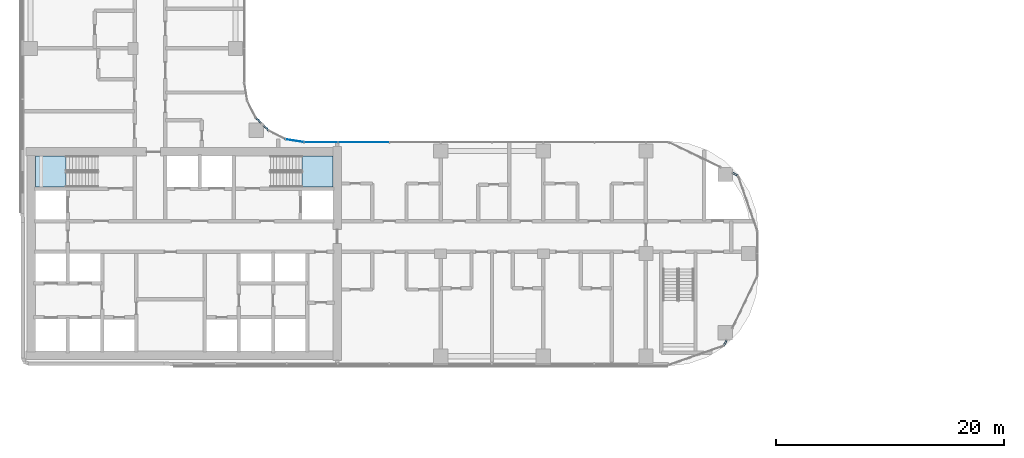
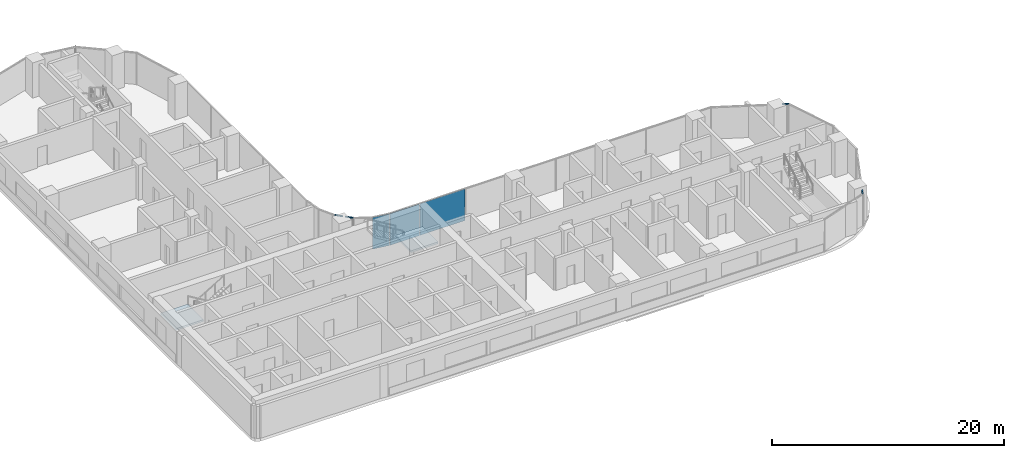
# One storey, part 10 of 35: 4 members, 3 plates, 2 slabs, 7 elements without a shape of their own.
"""IFC4 building model written with IfcOpenShell, lengths in metres."""

from ifc_helpers import new_model, si_unit, direction, frame, origin, origin_2d, place, context, subcontext, project, spatial, polyline, rectangle, outline, extrude, material, layer, layer_set, material_profile, profile_set, type_object, element, aggregate, save


model = new_model("IFC4")

# Units and contexts
model_context = context("Model", 3, precision=1e-05, world=origin(), true_north=direction((0.0, 1.0)))
body_context = subcontext(model_context, "Body", "Model", "MODEL_VIEW")
ifc_project = project(units=[si_unit("LENGTHUNIT", "METRE"), si_unit("AREAUNIT", "SQUARE_METRE"), si_unit("VOLUMEUNIT", "CUBIC_METRE"), si_unit("PLANEANGLEUNIT", "RADIAN"), si_unit("MASSUNIT", "GRAM", prefix="KILO")], contexts=[model_context])

# Site, building, storey
site_placement = place(None, origin())
site = spatial("IfcSite", under=ifc_project, at=site_placement, CompositionType="ELEMENT")
building_placement = place(site_placement, origin())
building = spatial("IfcBuilding", under=site, at=building_placement, Name="Ogive Portal Towers", CompositionType="ELEMENT")
storey_placement = place(building_placement, frame((0.0, 0.0, 94.5)))
storey = spatial("IfcBuildingStorey", under=building, at=storey_placement, Name="L22", CompositionType="ELEMENT", Elevation=94.5)

# Curtain wall, member
ifc_material_1 = material(Name="Glass, clear low-iron insulated glazing", Category="glass")
curtain_wall_type = type_object("IfcCurtainWallType", Name="CW FRONT RIBBON 4500", PredefinedType="NOTDEFINED", material=ifc_material_1)
curtain_wall_1_placement = place(storey_placement, origin())
curtain_wall_1 = element("IfcCurtainWall", 1, at=curtain_wall_1_placement, inside=storey, type_object=curtain_wall_type, Name="A:L22:f06:cwa~0", PredefinedType="NOTDEFINED")
ifc_material_2 = material(Name="Aluminium 6063 anodised", Category="aluminium")
ifc_material_profile = material_profile(ifc_material_2, rectangle(XDim=0.1201171875, YDim=0.06005859375, at=origin_2d()), Name="AL 120x60")
ifc_profile_set = profile_set([ifc_material_profile], Name="Aluminium 6063 anodised")
member_type = type_object("IfcMemberType", Name="CW TRANSOM 60x120", PredefinedType="USERDEFINED", material=ifc_profile_set)
member_1_placement = place(storey_placement, frame((92.33984375, 22.42333984375, 3.3701171875), z_axis=(0.434013326486, 0.900906450433, 0.0), x_axis=(-0.900906450433, 0.434013326486, 0.0)))
member_1 = element("IfcMember", 2, at=member_1_placement, type_object=member_type, Name="transom", ObjectType="TRANSOM", PredefinedType="USERDEFINED", context=body_context, shape_type="SweptSolid", body=[
    extrude(rectangle(XDim=0.1201171875, YDim=0.06005859375, at=origin_2d()), origin(), (0.0, 0.0, 1.0), 0.556884765625),
])
aggregate(curtain_wall_1, [member_1])

curtain_wall_2_placement = place(storey_placement, origin())
curtain_wall_2 = element("IfcCurtainWall", 3, at=curtain_wall_2_placement, inside=storey, type_object=curtain_wall_type, Name="A:L22:f09:cwa~0", PredefinedType="NOTDEFINED")
member_2_placement = place(storey_placement, frame((93.57666015625, 37.33984375, 3.3701171875), z_axis=(-0.900906450433, 0.434013326486, 0.0), x_axis=(-0.434013326486, -0.900906450433, 0.0)))
member_2 = element("IfcMember", 4, at=member_2_placement, type_object=member_type, Name="transom", ObjectType="TRANSOM", PredefinedType="USERDEFINED", context=body_context, shape_type="SweptSolid", body=[
    extrude(rectangle(XDim=0.1201171875, YDim=0.06005859375, at=origin_2d()), origin(), (0.0, 0.0, 1.0), 0.556884765625),
])
aggregate(curtain_wall_2, [member_2])

curtain_wall_3_placement = place(storey_placement, origin())
curtain_wall_3 = element("IfcCurtainWall", 5, at=curtain_wall_3_placement, inside=storey, type_object=curtain_wall_type, Name="A:L22:f12:cwa~0", PredefinedType="NOTDEFINED")
member_3_placement = place(storey_placement, frame((52.42822265625, 41.27197265625, 3.3701171875), z_axis=(-0.706931776423, 0.707281742649, 0.0), x_axis=(-0.707281742649, -0.706931776423, 0.0)))
member_3 = element("IfcMember", 6, at=member_3_placement, type_object=member_type, Name="transom", ObjectType="TRANSOM", PredefinedType="USERDEFINED", context=body_context, shape_type="SweptSolid", body=[
    extrude(rectangle(XDim=0.1201171875, YDim=0.06005859375, at=origin_2d()), origin(), (0.0, 0.0, 1.0), 0.697509765625),
])

curtain_wall_4_placement = place(storey_placement, origin())
curtain_wall_4 = element("IfcCurtainWall", 7, at=curtain_wall_4_placement, inside=storey, type_object=curtain_wall_type, Name="A:L22:f12:cwa~1", PredefinedType="NOTDEFINED")
member_4_placement = place(storey_placement, frame((51.765380859375, 41.93505859375, 3.3701171875), z_axis=(-0.707281742649, 0.706931776423, 0.0), x_axis=(-0.706931776423, -0.707281742649, 0.0)))
member_4 = element("IfcMember", 8, at=member_4_placement, type_object=member_type, Name="transom", ObjectType="TRANSOM", PredefinedType="USERDEFINED", context=body_context, shape_type="SweptSolid", body=[
    extrude(rectangle(XDim=0.1201171875, YDim=0.06005859375, at=origin_2d()), origin(), (0.0, 0.0, 1.0), 0.697509765625),
])
aggregate(curtain_wall_4, [member_4])

# Curtain wall, plates
curtain_wall_5_placement = place(storey_placement, origin())
curtain_wall_5 = element("IfcCurtainWall", 9, at=curtain_wall_5_placement, inside=storey, type_object=curtain_wall_type, Name="A:L22:f11:cw0", PredefinedType="NOTDEFINED")
ifc_layer_1 = layer(ifc_material_1, 0.028076171875)
ifc_layer_set_1 = layer_set([ifc_layer_1], Name="CW PANEL IGU 28")
plate_type = type_object("IfcPlateType", Name="CW PANEL IGU 28", PredefinedType="CURTAIN_PANEL", material=ifc_layer_set_1)
plate_1_placement = place(storey_placement, frame((60.75, 40.27490234375, 0.0), z_axis=(0.0, 0.0, 1.0), x_axis=(-1.0, 0.0, 0.0)))
plate_1 = element("IfcPlate", 10, at=plate_1_placement, type_object=plate_type, Name="panel", PredefinedType="CURTAIN_PANEL", context=body_context, shape_type="SweptSolid", body=[
    extrude(rectangle(XDim=4.43994140625, YDim=0.028076171875, at=origin_2d()), origin(), (0.0, 0.0, 1.0), 3.340087890625),
])
plate_2_placement = place(storey_placement, frame((56.996826171875, 40.27490234375, 0.0), z_axis=(0.0, 0.0, 1.0), x_axis=(-1.0, 0.0, 0.0)))
plate_2 = element("IfcPlate", 11, at=plate_2_placement, type_object=plate_type, Name="panel", PredefinedType="CURTAIN_PANEL", context=body_context, shape_type="SweptSolid", body=[
    extrude(rectangle(XDim=2.9462890625, YDim=0.028076171875, at=origin_2d()), origin(), (0.0, 0.0, 1.0), 3.340087890625),
])
aggregate(curtain_wall_5, [plate_1, plate_2])

# Plate
plate_3_placement = place(storey_placement, frame((54.689453125, 40.40234375, 0.0), z_axis=(0.0, 0.0, 1.0), x_axis=(-0.987688340595, 0.15643446504, 0.0)))
plate_3 = element("IfcPlate", 12, at=plate_3_placement, type_object=plate_type, Name="panel", PredefinedType="CURTAIN_PANEL", context=body_context, shape_type="SweptSolid", body=[
    extrude(rectangle(XDim=1.568603515625, YDim=0.028076171875, at=origin_2d()), origin(), (0.0, 0.0, 1.0), 3.340087890625),
])

aggregate(curtain_wall_3, [member_3, plate_3])

# Stair, slab
ifc_material_3 = material(Name="Concrete C40/50", Category="concrete")
stair_type = type_object("IfcStairType", Name="INT-STAIR", PredefinedType="HALF_TURN_STAIR", material=ifc_material_3)
stair_1_placement = place(storey_placement, origin())
stair_1 = element("IfcStair", 13, at=stair_1_placement, inside=storey, type_object=stair_type, Name="L22 Exit Stair ST-A1", PredefinedType="HALF_TURN_STAIR")
ifc_layer_2 = layer(ifc_material_3, 0.199951171875)
ifc_layer_set_2 = layer_set([ifc_layer_2], Name="INT-LANDING")
slab_type = type_object("IfcSlabType", Name="INT-LANDING", PredefinedType="LANDING", material=ifc_layer_set_2)
slab_1_placement = place(storey_placement, frame((0.0, 0.0, 1.64990234375)))
slab_1 = element("IfcSlab", 14, at=slab_1_placement, type_object=slab_type, Name="ST-A1 landing 1", PredefinedType="LANDING", context=body_context, shape_type="SweptSolid", body=[
    extrude(outline(polyline([(34.64990234375, 39.050048828125), (31.949951171875, 39.050048828125), (31.949951171875, 36.35009765625), (34.64990234375, 36.35009765625), (34.64990234375, 39.050048828125)])), origin(), (0.0, 0.0, 1.0), 0.2001953125),
])
aggregate(stair_1, [slab_1])

stair_2_placement = place(storey_placement, origin())
stair_2 = element("IfcStair", 15, at=stair_2_placement, inside=storey, type_object=stair_type, Name="L22 Exit Stair ST-A2", PredefinedType="HALF_TURN_STAIR")
slab_2_placement = place(storey_placement, frame((0.0, 0.0, 1.64990234375)))
slab_2 = element("IfcSlab", 16, at=slab_2_placement, type_object=slab_type, Name="ST-A2 landing 1", PredefinedType="LANDING", context=body_context, shape_type="SweptSolid", body=[
    extrude(outline(polyline([(55.35009765625, 36.35009765625), (58.050048828125, 36.35009765625), (58.050048828125, 39.050048828125), (55.35009765625, 39.050048828125), (55.35009765625, 36.35009765625)])), origin(), (0.0, 0.0, 1.0), 0.2001953125),
])
aggregate(stair_2, [slab_2])

save(model, "model.ifc")
